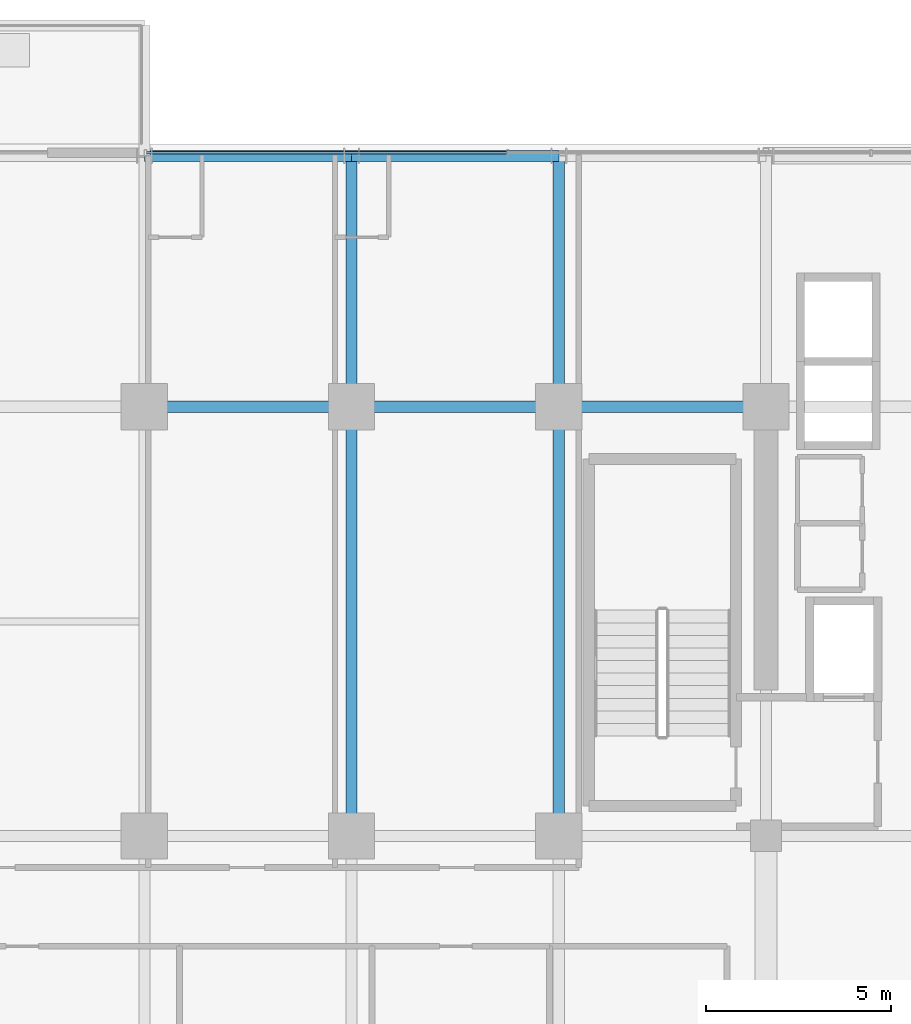
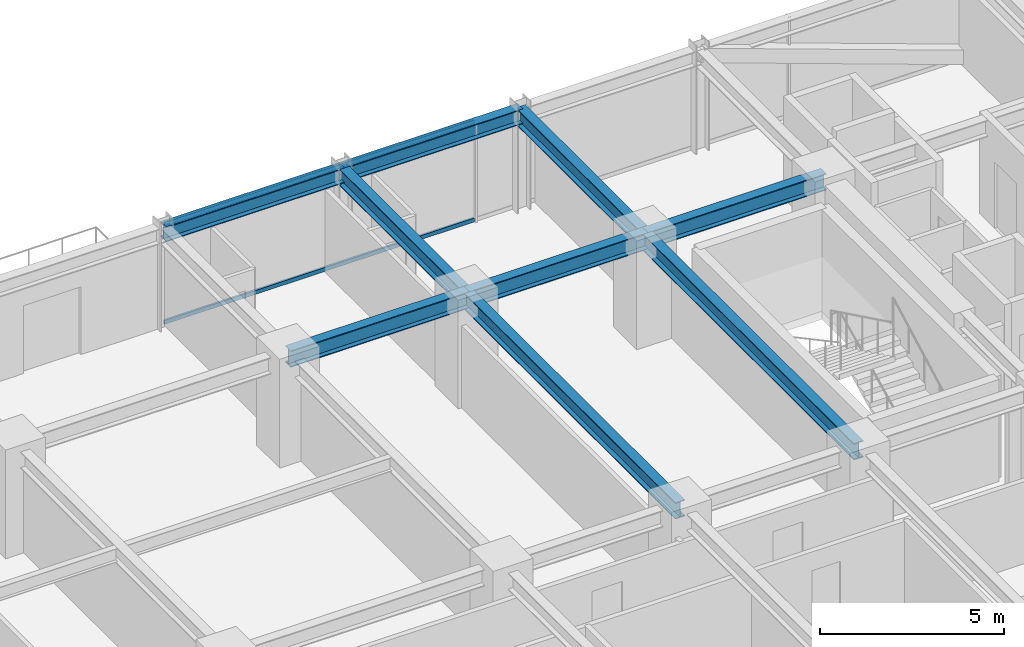
# One storey, part 20 of 34: 9 beams, 2 members, 1 element without a shape of its own.
"""IFC4 building model written with IfcOpenShell, lengths in metres."""

from ifc_helpers import new_model, si_unit, direction, frame, origin, origin_2d, place, context, subcontext, project, spatial, hollow_rectangle, i_section, extrude, source, transform, mapped, material, material_profile, profile_set, type_object, element, aggregate, save


model = new_model("IFC4")

# Units and contexts
model_context = context("Model", 3, precision=1e-05, world=origin(), true_north=direction((0.0, 1.0)))
body_context = subcontext(model_context, "Body", "Model", "MODEL_VIEW")
ifc_project = project(units=[si_unit("LENGTHUNIT", "METRE"), si_unit("AREAUNIT", "SQUARE_METRE"), si_unit("VOLUMEUNIT", "CUBIC_METRE"), si_unit("PLANEANGLEUNIT", "RADIAN"), si_unit("MASSUNIT", "GRAM", prefix="KILO")], contexts=[model_context])

# Site, building, storey
site_placement = place(None, origin())
site = spatial("IfcSite", under=ifc_project, at=site_placement, CompositionType="ELEMENT")
building_placement = place(site_placement, origin())
building = spatial("IfcBuilding", under=site, at=building_placement, Name="Nahalor Promenade Grand Hotel", CompositionType="ELEMENT")
storey_placement = place(building_placement, frame((0.0, 0.0, 128.449951171875)))
storey = spatial("IfcBuildingStorey", under=building, at=storey_placement, Name="L32", CompositionType="ELEMENT", Elevation=128.449951171875)

# Beams
ifc_material_1 = material(Name="Steel S355JR", Category="steel")
ifc_material_profile_1 = material_profile(ifc_material_1, i_section(OverallWidth=0.3, OverallDepth=0.5, WebThickness=0.0145, FlangeThickness=0.028, at=origin_2d()), Name="HEB 500")
ifc_profile_set_1 = profile_set([ifc_material_profile_1], Name="Steel S355JR")
beam_type_1 = type_object("IfcBeamType", Name="Beam-Spandrel-HEB500", PredefinedType="SPANDREL", material=ifc_profile_set_1)
shared_shape_1 = source(origin(), body_context, "Body", "SweptSolid", [
    extrude(i_section(OverallWidth=0.3, OverallDepth=0.5, WebThickness=0.0145, FlangeThickness=0.028, at=origin_2d()), origin(), (0.0, 0.0, 1.0), 5.599853515625),
])
beam_1_placement = place(storey_placement, frame((-8.39990234375, 23.780029296875, 3.130126953125), z_axis=(1.0, 0.0, 0.0), x_axis=(0.0, 1.0, 0.0)))
element("IfcBeam", 1, at=beam_1_placement, inside=storey, type_object=beam_type_1, Name="BM-L32-SP-N-1", PredefinedType="SPANDREL", context=body_context, shape_type="MappedRepresentation", body=[
    mapped(shared_shape_1, transform((0.0, 0.0, 0.0), scale=1.0)),
])
shared_shape_2 = source(origin(), body_context, "Body", "SweptSolid", [
    extrude(i_section(OverallWidth=0.3, OverallDepth=0.5, WebThickness=0.0145, FlangeThickness=0.028, at=origin_2d()), origin(), (0.0, 0.0, 1.0), 5.60009765625),
])
beam_2_placement = place(storey_placement, frame((-2.800048828125, 23.780029296875, 3.130126953125), z_axis=(1.0, 0.0, 0.0), x_axis=(0.0, 1.0, 0.0)))
element("IfcBeam", 2, at=beam_2_placement, inside=storey, type_object=beam_type_1, Name="BM-L32-SP-N-2", PredefinedType="SPANDREL", context=body_context, shape_type="MappedRepresentation", body=[
    mapped(shared_shape_2, transform((0.0, 0.0, 0.0), scale=1.0)),
])
ifc_material_profile_2 = material_profile(ifc_material_1, i_section(OverallWidth=0.3, OverallDepth=0.55, WebThickness=0.015, FlangeThickness=0.029, at=origin_2d()), Name="HEB 550")
ifc_profile_set_2 = profile_set([ifc_material_profile_2], Name="Steel S355JR")
beam_type_2 = type_object("IfcBeamType", Name="Beam-Girder-HEB550", PredefinedType="BEAM", material=ifc_profile_set_2)
shared_shape_3 = source(origin(), body_context, "Body", "SweptSolid", [
    extrude(i_section(OverallWidth=0.3, OverallDepth=0.55, WebThickness=0.015, FlangeThickness=0.029, at=origin_2d()), origin(), (0.0, 0.0, 1.0), 6.780029296875),
])
for number, where, z_axis, x_axis, name in (
    (3, (-2.800048828125, 17.0, 3.10498046875), (0.0, 1.0, 0.0), (-1.0, 0.0, 0.0), "BM-L32-GY-2-4"),
    (4, (2.800048828125, 17.0, 3.10498046875), (0.0, 1.0, 0.0), (-1.0, 0.0, 0.0), "BM-L32-GY-3-4"),
):
    element("IfcBeam", number, at=place(storey_placement, frame(where, z_axis=z_axis, x_axis=x_axis)), inside=storey, type_object=beam_type_2, Name=name, PredefinedType="BEAM", context=body_context, shape_type="MappedRepresentation", body=[
        mapped(shared_shape_3, transform((0.0, 0.0, 0.0), scale=1.0)),
    ])
shared_shape_4 = source(origin(), body_context, "Body", "SweptSolid", [
    extrude(i_section(OverallWidth=0.3, OverallDepth=0.55, WebThickness=0.015, FlangeThickness=0.029, at=origin_2d()), origin(), (0.0, 0.0, 1.0), 5.599853515625),
])
for number, where, z_axis, x_axis, name in (
    (5, (-8.39990234375, 17.0, 3.10498046875), (1.0, 0.0, 0.0), (0.0, 1.0, 0.0), "BM-L32-GX-3-2"),
    (6, (2.800048828125, 17.0, 3.10498046875), (1.0, 0.0, 0.0), (0.0, 1.0, 0.0), "BM-L32-GX-3-4"),
):
    element("IfcBeam", number, at=place(storey_placement, frame(where, z_axis=z_axis, x_axis=x_axis)), inside=storey, type_object=beam_type_2, Name=name, PredefinedType="BEAM", context=body_context, shape_type="MappedRepresentation", body=[
        mapped(shared_shape_4, transform((0.0, 0.0, 0.0), scale=1.0)),
    ])
shared_shape_5 = source(origin(), body_context, "Body", "SweptSolid", [
    extrude(i_section(OverallWidth=0.3, OverallDepth=0.55, WebThickness=0.015, FlangeThickness=0.029, at=origin_2d()), origin(), (0.0, 0.0, 1.0), 5.60009765625),
])
beam_3_placement = place(storey_placement, frame((-2.800048828125, 17.0, 3.10498046875), z_axis=(1.0, 0.0, 0.0), x_axis=(0.0, 1.0, 0.0)))
element("IfcBeam", 7, at=beam_3_placement, inside=storey, type_object=beam_type_2, Name="BM-L32-GX-3-3", PredefinedType="BEAM", context=body_context, shape_type="MappedRepresentation", body=[
    mapped(shared_shape_5, transform((0.0, 0.0, 0.0), scale=1.0)),
])
shared_shape_6 = source(origin(), body_context, "Body", "SweptSolid", [
    extrude(i_section(OverallWidth=0.3, OverallDepth=0.55, WebThickness=0.015, FlangeThickness=0.029, at=origin_2d()), origin(), (0.0, 0.0, 1.0), 11.60009765625),
])
for number, where, z_axis, x_axis, name in (
    (8, (-2.800048828125, 5.39990234375, 3.10498046875), (0.0, 1.0, 0.0), (-1.0, 0.0, 0.0), "BM-L32-GY-2-3"),
    (9, (2.800048828125, 5.39990234375, 3.10498046875), (0.0, 1.0, 0.0), (-1.0, 0.0, 0.0), "BM-L32-GY-3-3"),
):
    element("IfcBeam", number, at=place(storey_placement, frame(where, z_axis=z_axis, x_axis=x_axis)), inside=storey, type_object=beam_type_2, Name=name, PredefinedType="BEAM", context=body_context, shape_type="MappedRepresentation", body=[
        mapped(shared_shape_6, transform((0.0, 0.0, 0.0), scale=1.0)),
    ])

# Curtain wall, members
ifc_material_2 = material(Name="Anodised Bronze Aluminium EN AW-6063 T6", Category="aluminium")
curtain_wall_type = type_object("IfcCurtainWallType", Name="CW2 Typical Hotel Flush Bronze Unitised Curtain Wall", PredefinedType="USERDEFINED", material=ifc_material_2)
curtain_wall_placement = place(storey_placement, origin())
curtain_wall = element("IfcCurtainWall", 10, at=curtain_wall_placement, inside=storey, type_object=curtain_wall_type, Name="L32 Curtain Wall CW-L32-N-3", ObjectType="UNITISED_CURTAIN_WALL", PredefinedType="USERDEFINED")
ifc_material_profile_3 = material_profile(ifc_material_2, hollow_rectangle(XDim=0.065, YDim=0.13, WallThickness=0.004, at=origin_2d()), Name="CWT 65x130x4")
ifc_profile_set_3 = profile_set([ifc_material_profile_3], Name="Anodised Bronze Aluminium EN AW-6063 T6")
member_type = type_object("IfcMemberType", Name="CWT2 Typical Bronze Transom 65x130", PredefinedType="USERDEFINED", material=ifc_profile_set_3)
shared_shape_7 = source(origin(), body_context, "Body", "SweptSolid", [
    extrude(hollow_rectangle(XDim=0.065, YDim=0.13, WallThickness=0.004, at=origin_2d()), origin(), (0.0, 0.0, 1.0), 9.722412109375),
])
member_1_placement = place(storey_placement, frame((-8.3349609375, 23.860107421875, 0.06494140625), z_axis=(1.0, 0.0, 0.0), x_axis=(0.0, 1.0, 0.0)))
member_1 = element("IfcMember", 11, at=member_1_placement, type_object=member_type, Name="CW-L32-N-3 Transom 0-0", ObjectType="TRANSOM", PredefinedType="USERDEFINED", context=body_context, shape_type="MappedRepresentation", body=[
    mapped(shared_shape_7, transform((0.0, 0.0, 0.0), scale=1.0)),
])
member_2_placement = place(storey_placement, frame((-8.3349609375, 23.860107421875, 3.31494140625), z_axis=(1.0, 0.0, 0.0), x_axis=(0.0, 1.0, 0.0)))
member_2 = element("IfcMember", 12, at=member_2_placement, type_object=member_type, Name="CW-L32-N-3 Transom 0-1", ObjectType="TRANSOM", PredefinedType="USERDEFINED", context=body_context, shape_type="MappedRepresentation", body=[
    mapped(shared_shape_7, transform((0.0, 0.0, 0.0), scale=1.0)),
])
aggregate(curtain_wall, [member_1, member_2])

save(model, "model.ifc")
